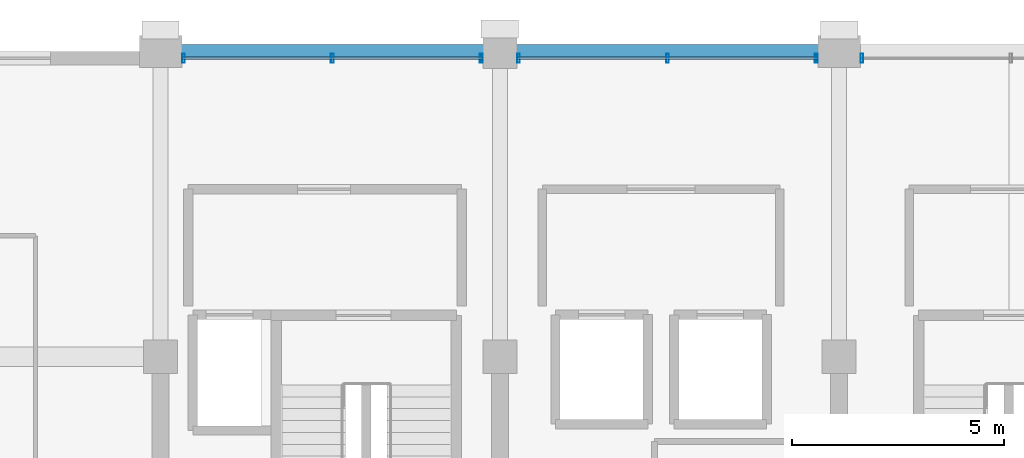
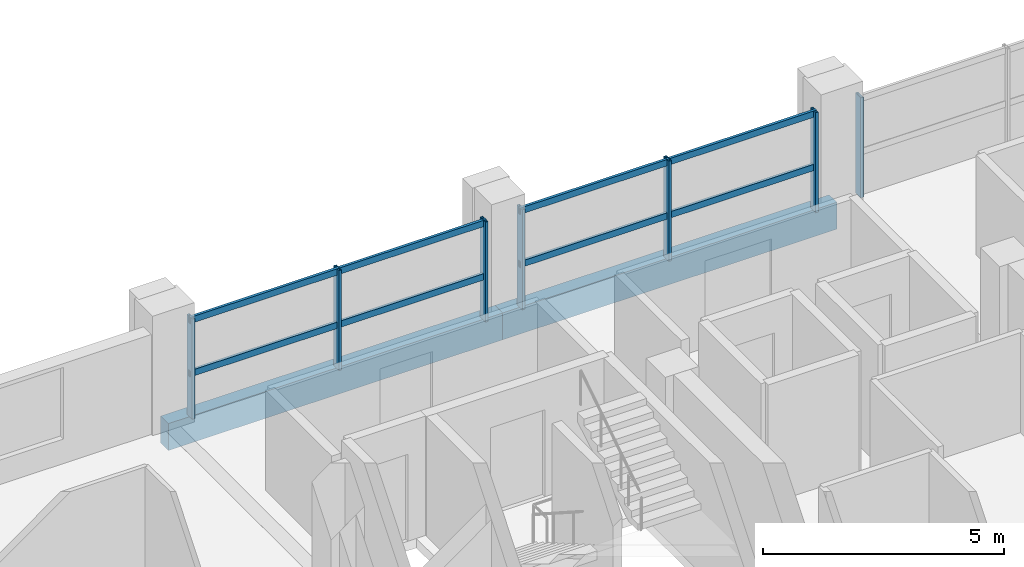
# One storey, part 13 of 23: 11 members, 2 beams, 3 elements without a shape of their own.
"""IFC4 building model written with IfcOpenShell, lengths in metres."""

from ifc_helpers import new_model, si_unit, direction, frame, origin, origin_2d, place, context, subcontext, project, spatial, rectangle, hollow_rectangle, extrude, material, material_profile, profile_set, type_object, element, aggregate, save


model = new_model("IFC4")

# Units and contexts
model_context = context("Model", 3, precision=1e-05, world=origin(), true_north=direction((0.0, 1.0)))
body_context = subcontext(model_context, "Body", "Model", "MODEL_VIEW")
ifc_project = project(units=[si_unit("LENGTHUNIT", "METRE"), si_unit("AREAUNIT", "SQUARE_METRE"), si_unit("VOLUMEUNIT", "CUBIC_METRE"), si_unit("PLANEANGLEUNIT", "RADIAN"), si_unit("MASSUNIT", "GRAM", prefix="KILO")], contexts=[model_context])

# Site, building, storey
site_placement = place(None, origin())
site = spatial("IfcSite", under=ifc_project, at=site_placement, CompositionType="ELEMENT")
building_placement = place(site_placement, origin())
building = spatial("IfcBuilding", under=site, at=building_placement, Name="Akrevak Sports Hall", CompositionType="ELEMENT")
storey_placement = place(building_placement, frame((0.0, 0.0, 43.800048828125)))
storey = spatial("IfcBuildingStorey", under=building, at=storey_placement, Name="L10", CompositionType="ELEMENT", Elevation=43.800048828125)

# Curtain wall, member
ifc_material_1 = material(Name="Anodized Bronze Aluminium & Low-E Glass", Category="aluminium")
curtain_wall_type = type_object("IfcCurtainWallType", Name="ARC-CW-TWR-64x30", PredefinedType="NOTDEFINED", material=ifc_material_1)
curtain_wall_1_placement = place(storey_placement, origin())
curtain_wall_1 = element("IfcCurtainWall", 1, at=curtain_wall_1_placement, inside=storey, type_object=curtain_wall_type, Name="Curtain Wall CW-L10-N22", PredefinedType="NOTDEFINED")
ifc_material_2 = material(Name="Anodized Bronze Aluminium", Category="aluminium")
ifc_material_profile_1 = material_profile(ifc_material_2, hollow_rectangle(XDim=0.06494140625, YDim=0.219970703125, WallThickness=0.00439453125, at=origin_2d()), Name="CWM 65x220", Category="aluminium")
ifc_profile_set_1 = profile_set([ifc_material_profile_1], Name="Anodized Bronze Aluminium")
member_type_1 = type_object("IfcMemberType", Name="ARC-CWM-70x160", PredefinedType="MULLION", material=ifc_profile_set_1)
member_1_placement = place(storey_placement, frame((76.5400390625, 69.43994140625, 0.0), z_axis=(0.0, 0.0, 1.0), x_axis=(-1.0, 0.0, 0.0)))
member_1 = element("IfcMember", 2, at=member_1_placement, type_object=member_type_1, Name="Curtain Wall Mullion CW-L10-N22-M3", PredefinedType="MULLION", context=body_context, shape_type="SweptSolid", body=[
    extrude(hollow_rectangle(XDim=0.06494140625, YDim=0.219970703125, WallThickness=0.00439453125, at=origin_2d()), origin(), (0.0, 0.0, 1.0), 2.530029296875),
])
aggregate(curtain_wall_1, [member_1])

# Curtain wall, members
curtain_wall_2_placement = place(storey_placement, origin())
curtain_wall_2 = element("IfcCurtainWall", 3, at=curtain_wall_2_placement, inside=storey, type_object=curtain_wall_type, Name="Curtain Wall CW-L10-N23", PredefinedType="NOTDEFINED")
member_2_placement = place(storey_placement, frame((75.4599609375, 69.43994140625, 0.0), z_axis=(0.0, 0.0, 1.0), x_axis=(-1.0, 0.0, 0.0)))
member_2 = element("IfcMember", 4, at=member_2_placement, type_object=member_type_1, Name="Curtain Wall Mullion CW-L10-N23-M1", PredefinedType="MULLION", context=body_context, shape_type="SweptSolid", body=[
    extrude(hollow_rectangle(XDim=0.06494140625, YDim=0.219970703125, WallThickness=0.00439453125, at=origin_2d()), origin(), (0.0, 0.0, 1.0), 2.530029296875),
])
member_3_placement = place(storey_placement, frame((71.949951171875, 69.43994140625, 0.0), z_axis=(0.0, 0.0, 1.0), x_axis=(-1.0, 0.0, 0.0)))
member_3 = element("IfcMember", 5, at=member_3_placement, type_object=member_type_1, Name="Curtain Wall Mullion CW-L10-N23-M2", PredefinedType="MULLION", context=body_context, shape_type="SweptSolid", body=[
    extrude(hollow_rectangle(XDim=0.06494140625, YDim=0.219970703125, WallThickness=0.00439453125, at=origin_2d()), origin(), (0.0, 0.0, 1.0), 2.530029296875),
])
member_4_placement = place(storey_placement, frame((68.43994140625, 69.43994140625, 0.0), z_axis=(0.0, 0.0, 1.0), x_axis=(-1.0, 0.0, 0.0)))
member_4 = element("IfcMember", 6, at=member_4_placement, type_object=member_type_1, Name="Curtain Wall Mullion CW-L10-N23-M3", PredefinedType="MULLION", context=body_context, shape_type="SweptSolid", body=[
    extrude(hollow_rectangle(XDim=0.06494140625, YDim=0.219970703125, WallThickness=0.00439453125, at=origin_2d()), origin(), (0.0, 0.0, 1.0), 2.530029296875),
])

curtain_wall_3_placement = place(storey_placement, origin())
curtain_wall_3 = element("IfcCurtainWall", 7, at=curtain_wall_3_placement, inside=storey, type_object=curtain_wall_type, Name="Curtain Wall CW-L10-N24", PredefinedType="NOTDEFINED")
member_5_placement = place(storey_placement, frame((67.56005859375, 69.43994140625, 0.0), z_axis=(0.0, 0.0, 1.0), x_axis=(-1.0, 0.0, 0.0)))
member_5 = element("IfcMember", 8, at=member_5_placement, type_object=member_type_1, Name="Curtain Wall Mullion CW-L10-N24-M1", PredefinedType="MULLION", context=body_context, shape_type="SweptSolid", body=[
    extrude(hollow_rectangle(XDim=0.06494140625, YDim=0.219970703125, WallThickness=0.00439453125, at=origin_2d()), origin(), (0.0, 0.0, 1.0), 2.530029296875),
])
member_6_placement = place(storey_placement, frame((64.050048828125, 69.43994140625, 0.0), z_axis=(0.0, 0.0, 1.0), x_axis=(-1.0, 0.0, 0.0)))
member_6 = element("IfcMember", 9, at=member_6_placement, type_object=member_type_1, Name="Curtain Wall Mullion CW-L10-N24-M2", PredefinedType="MULLION", context=body_context, shape_type="SweptSolid", body=[
    extrude(hollow_rectangle(XDim=0.06494140625, YDim=0.219970703125, WallThickness=0.00439453125, at=origin_2d()), origin(), (0.0, 0.0, 1.0), 2.530029296875),
])
member_7_placement = place(storey_placement, frame((60.5400390625, 69.43994140625, 0.0), z_axis=(0.0, 0.0, 1.0), x_axis=(-1.0, 0.0, 0.0)))
member_7 = element("IfcMember", 10, at=member_7_placement, type_object=member_type_1, Name="Curtain Wall Mullion CW-L10-N24-M3", PredefinedType="MULLION", context=body_context, shape_type="SweptSolid", body=[
    extrude(hollow_rectangle(XDim=0.06494140625, YDim=0.219970703125, WallThickness=0.00439453125, at=origin_2d()), origin(), (0.0, 0.0, 1.0), 2.530029296875),
])

# Member
ifc_material_profile_2 = material_profile(ifc_material_2, hollow_rectangle(XDim=0.06494140625, YDim=0.159912109375, WallThickness=0.00390625, at=origin_2d()), Name="CWT 65x160", Category="aluminium")
ifc_profile_set_2 = profile_set([ifc_material_profile_2], Name="Anodized Bronze Aluminium")
member_type_2 = type_object("IfcMemberType", Name="ARC-CWT-70x130", PredefinedType="USERDEFINED", material=ifc_profile_set_2)
member_8_placement = place(storey_placement, frame((75.5, 69.43994140625, 1.099853515625), z_axis=(-1.0, 0.0, 0.0), x_axis=(0.0, -1.0, 0.0)))
member_8 = element("IfcMember", 11, at=member_8_placement, type_object=member_type_2, Name="Curtain Wall Transom CW-L10-N23-T1", ObjectType="TRANSOM", PredefinedType="USERDEFINED", context=body_context, shape_type="SweptSolid", body=[
    extrude(hollow_rectangle(XDim=0.06494140625, YDim=0.159912109375, WallThickness=0.00390625, at=origin_2d()), origin(), (0.0, 0.0, 1.0), 7.10009765625),
])

member_9_placement = place(storey_placement, frame((75.5, 69.43994140625, 2.449951171875), z_axis=(-1.0, 0.0, 0.0), x_axis=(0.0, -1.0, 0.0)))
member_9 = element("IfcMember", 12, at=member_9_placement, type_object=member_type_2, Name="Curtain Wall Transom CW-L10-N23-T2", ObjectType="TRANSOM", PredefinedType="USERDEFINED", context=body_context, shape_type="SweptSolid", body=[
    extrude(hollow_rectangle(XDim=0.06494140625, YDim=0.159912109375, WallThickness=0.00390625, at=origin_2d()), origin(), (0.0, 0.0, 1.0), 7.10009765625),
])

aggregate(curtain_wall_2, [member_2, member_3, member_4, member_8, member_9])

member_10_placement = place(storey_placement, frame((67.60009765625, 69.43994140625, 1.099853515625), z_axis=(-1.0, 0.0, 0.0), x_axis=(0.0, -1.0, 0.0)))
member_10 = element("IfcMember", 13, at=member_10_placement, type_object=member_type_2, Name="Curtain Wall Transom CW-L10-N24-T1", ObjectType="TRANSOM", PredefinedType="USERDEFINED", context=body_context, shape_type="SweptSolid", body=[
    extrude(hollow_rectangle(XDim=0.06494140625, YDim=0.159912109375, WallThickness=0.00390625, at=origin_2d()), origin(), (0.0, 0.0, 1.0), 7.10009765625),
])

member_11_placement = place(storey_placement, frame((67.60009765625, 69.43994140625, 2.449951171875), z_axis=(-1.0, 0.0, 0.0), x_axis=(0.0, -1.0, 0.0)))
member_11 = element("IfcMember", 14, at=member_11_placement, type_object=member_type_2, Name="Curtain Wall Transom CW-L10-N24-T2", ObjectType="TRANSOM", PredefinedType="USERDEFINED", context=body_context, shape_type="SweptSolid", body=[
    extrude(hollow_rectangle(XDim=0.06494140625, YDim=0.159912109375, WallThickness=0.00390625, at=origin_2d()), origin(), (0.0, 0.0, 1.0), 7.10009765625),
])

aggregate(curtain_wall_3, [member_5, member_6, member_7, member_10, member_11])

# Beams
ifc_material_3 = material(Name="Concrete C40/50", Category="concrete")
ifc_material_profile_3 = material_profile(ifc_material_3, rectangle(XDim=0.320068359375, YDim=0.679931640625, at=origin_2d()), Name="SPD 320x680", Category="concrete")
ifc_profile_set_3 = profile_set([ifc_material_profile_3], Name="Concrete C40/50")
beam_type = type_object("IfcBeamType", Name="STR-SPD-RC320x680", PredefinedType="SPANDREL", material=ifc_profile_set_3)
for number, where, z_axis, x_axis, name in (
    (15, (60.0, 69.60009765625, -0.340087890625), (1.0, 0.0, 0.0), (0.0, 1.0, 0.0), "Girder K/9-10 (L10)"),
    (16, (68.0, 69.60009765625, -0.340087890625), (1.0, 0.0, 0.0), (0.0, 1.0, 0.0), "Girder K/10-11 (L10)"),
):
    element("IfcBeam", number, at=place(storey_placement, frame(where, z_axis=z_axis, x_axis=x_axis)), inside=storey, type_object=beam_type, Name=name, PredefinedType="SPANDREL", context=body_context, shape_type="SweptSolid", body=[
        extrude(rectangle(XDim=0.320068359375, YDim=0.679931640625, at=origin_2d()), origin(), (0.0, 0.0, 1.0), 8.0),
    ])

save(model, "model.ifc")
